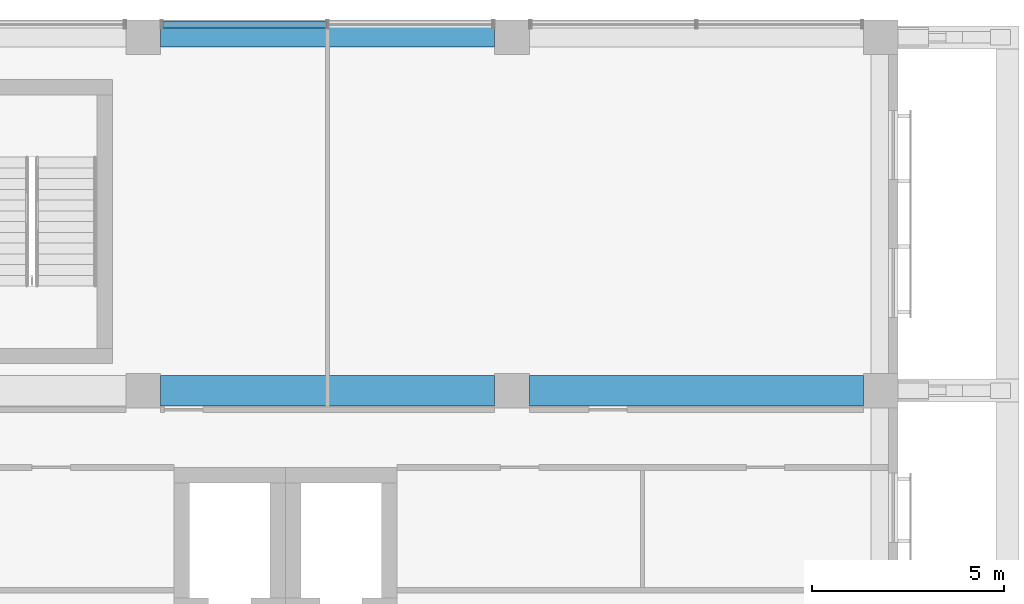
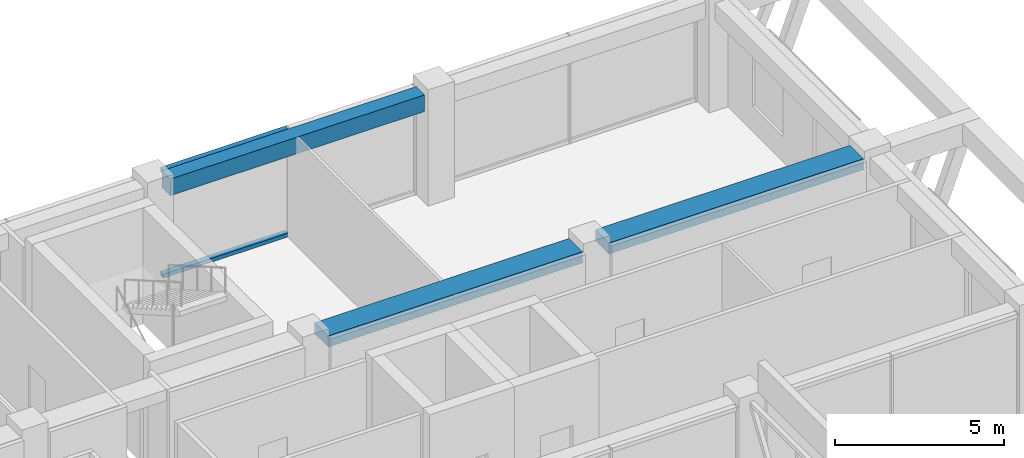
# One storey, part 24 of 38: 3 beams, 2 members, 1 element without a shape of its own.
"""IFC4 building model written with IfcOpenShell, lengths in metres."""

from ifc_helpers import new_model, si_unit, direction, frame, origin, origin_2d, place, context, subcontext, project, spatial, rectangle, hollow_rectangle, extrude, material, layer, layer_set, material_profile, profile_set, type_object, element, aggregate, save


model = new_model("IFC4")

# Units and contexts
model_context = context("Model", 3, precision=1e-05, world=origin(), true_north=direction((0.0, 1.0)))
body_context = subcontext(model_context, "Body", "Model", "MODEL_VIEW")
ifc_project = project(units=[si_unit("LENGTHUNIT", "METRE"), si_unit("AREAUNIT", "SQUARE_METRE"), si_unit("VOLUMEUNIT", "CUBIC_METRE"), si_unit("PLANEANGLEUNIT", "RADIAN"), si_unit("MASSUNIT", "GRAM", prefix="KILO")], contexts=[model_context])

# Site, building, storey
site_placement = place(None, origin())
site = spatial("IfcSite", under=ifc_project, at=site_placement, CompositionType="ELEMENT")
building_placement = place(site_placement, origin())
building = spatial("IfcBuilding", under=site, at=building_placement, Name="Nzadi Deep Aquarium and Research Tower", CompositionType="ELEMENT")
storey_placement = place(building_placement, frame((0.0, 0.0, 48.699951171875)))
storey = spatial("IfcBuildingStorey", under=building, at=storey_placement, Name="L09", CompositionType="ELEMENT", Elevation=48.699951171875)

# Beams
ifc_material_1 = material(Name="Concrete C35/45", Category="concrete")
ifc_material_profile_1 = material_profile(ifc_material_1, rectangle(XDim=0.5, YDim=0.60009765625, at=origin_2d()))
ifc_profile_set_1 = profile_set([ifc_material_profile_1], Name="Concrete C35/45")
beam_type_1 = type_object("IfcBeamType", Name="RC 500x600", PredefinedType="BEAM", material=ifc_profile_set_1)
beam_placement = place(storey_placement, frame((29.25, 46.0, 3.60009765625), z_axis=(1.0, 0.0, 0.0), x_axis=(0.0, 1.0, 0.0)))
element("IfcBeam", 1, at=beam_placement, inside=storey, type_object=beam_type_1, Name="B-Z1-L09-L6-4", PredefinedType="BEAM", context=body_context, shape_type="SweptSolid", body=[
    extrude(rectangle(XDim=0.5, YDim=0.60009765625, at=origin_2d()), origin(), (0.0, 0.0, 1.0), 8.699951171875),
])
ifc_material_2 = material(Name="Concrete C35/45", Category="concrete")
ifc_material_profile_2 = material_profile(ifc_material_2, rectangle(XDim=0.800048828125, YDim=0.39990234375, at=origin_2d()))
ifc_profile_set_2 = profile_set([ifc_material_profile_2], Name="Concrete C35/45")
beam_type_2 = type_object("IfcBeamType", Name="RC 800x400", PredefinedType="BEAM", material=ifc_profile_set_2)
for number, where, z_axis, x_axis, name in (
    (2, (29.25, 36.800048828125, 3.699951171875), (1.0, 0.0, 0.0), (0.0, 1.0, 0.0), "B-Z1-L09-L5-4"),
    (3, (38.85009765625, 36.800048828125, 3.699951171875), (1.0, 0.0, 0.0), (0.0, 1.0, 0.0), "B-Z1-L09-L5-5"),
):
    element("IfcBeam", number, at=place(storey_placement, frame(where, z_axis=z_axis, x_axis=x_axis)), inside=storey, type_object=beam_type_2, Name=name, PredefinedType="BEAM", context=body_context, shape_type="SweptSolid", body=[
        extrude(rectangle(XDim=0.800048828125, YDim=0.39990234375, at=origin_2d()), origin(), (0.0, 0.0, 1.0), 8.699951171875),
    ])

# Curtain wall, members
ifc_material_3 = material(Name="Aluminium unitised frame deep", Category="aluminium")
ifc_layer = layer(ifc_material_3, 0.22509765625)
ifc_layer_set = layer_set([ifc_layer], Name="Aluminium unitised frame deep")
curtain_wall_type = type_object("IfcCurtainWallType", Name="Curtain wall Unitised Deep 225", PredefinedType="NOTDEFINED", material=ifc_layer_set)
curtain_wall_placement = place(storey_placement, origin())
curtain_wall = element("IfcCurtainWall", 4, at=curtain_wall_placement, inside=storey, type_object=curtain_wall_type, Name="Unitised curtain wall blade B north L09", PredefinedType="NOTDEFINED")
ifc_material_4 = material(Name="Aluminium unitised frame deep", Category="aluminium")
ifc_material_profile_3 = material_profile(ifc_material_4, hollow_rectangle(XDim=0.179931640625, YDim=0.139892578125, WallThickness=0.0048828125, at=origin_2d()))
ifc_profile_set_3 = profile_set([ifc_material_profile_3], Name="Aluminium unitised frame deep")
member_type = type_object("IfcMemberType", Name="Transom 140x180 Unitised Deep", PredefinedType="MULLION", material=ifc_profile_set_3)
member_1_placement = place(storey_placement, frame((29.31005859375, 46.33740234375, 0.070068359375), z_axis=(1.0, 0.0, 0.0), x_axis=(0.0, 1.0, 0.0)))
member_1 = element("IfcMember", 5, at=member_1_placement, type_object=member_type, Name="CW126 transom 1.1", PredefinedType="MULLION", context=body_context, shape_type="SweptSolid", body=[
    extrude(hollow_rectangle(XDim=0.179931640625, YDim=0.139892578125, WallThickness=0.0048828125, at=origin_2d()), origin(), (0.0, 0.0, 1.0), 4.260009765625),
])
member_2_placement = place(storey_placement, frame((29.31005859375, 46.33740234375, 3.830078125), z_axis=(1.0, 0.0, 0.0), x_axis=(0.0, 1.0, 0.0)))
member_2 = element("IfcMember", 6, at=member_2_placement, type_object=member_type, Name="CW126 transom 1.2", PredefinedType="MULLION", context=body_context, shape_type="SweptSolid", body=[
    extrude(hollow_rectangle(XDim=0.179931640625, YDim=0.139892578125, WallThickness=0.0048828125, at=origin_2d()), origin(), (0.0, 0.0, 1.0), 4.260009765625),
])
aggregate(curtain_wall, [member_1, member_2])

save(model, "model.ifc")
